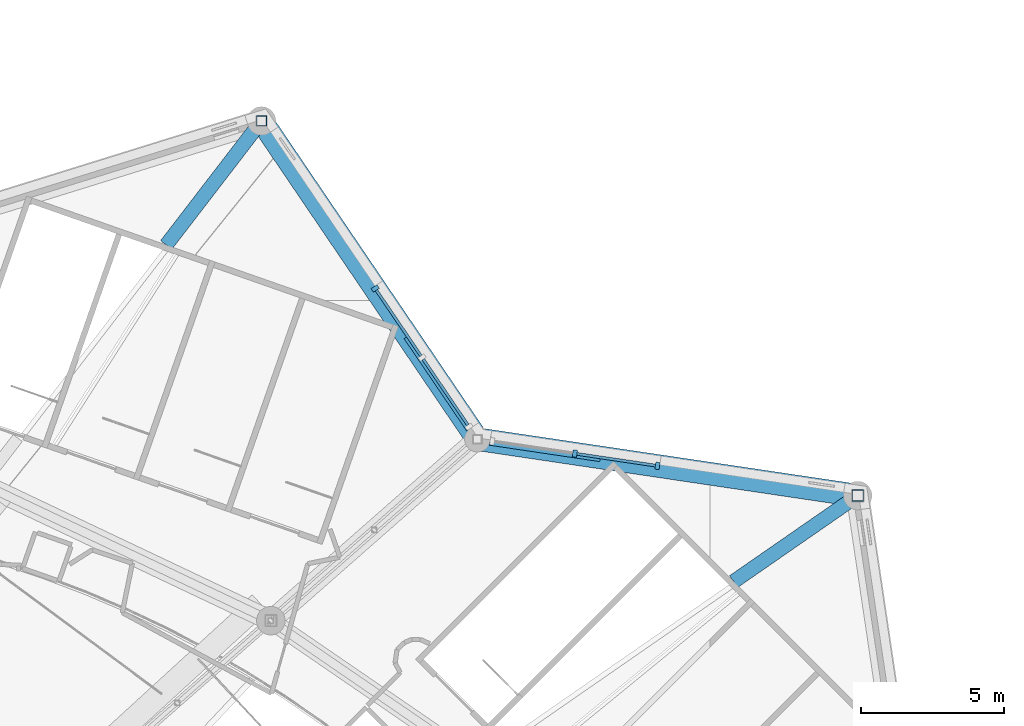
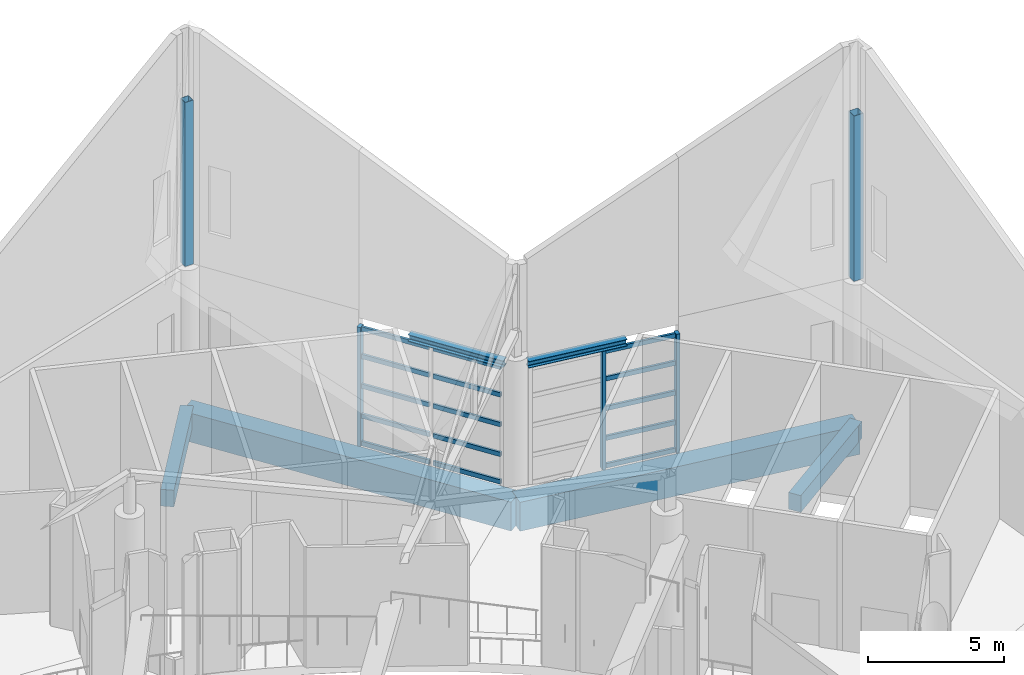
# One storey, part 206 of 344: 20 members, 6 beams, 2 elements without a shape of their own.
"""IFC4 building model written with IfcOpenShell, lengths in metres."""

from ifc_helpers import new_model, si_unit, direction, frame, origin, origin_2d, place, context, subcontext, project, spatial, rectangle, hollow_rectangle, i_section, extrude, material, layer, layer_set, material_profile, profile_set, type_object, element, aggregate, save


model = new_model("IFC4")

# Units and contexts
model_context = context("Model", 3, precision=1e-05, world=origin(), true_north=direction((0.0, 1.0)))
body_context = subcontext(model_context, "Body", "Model", "MODEL_VIEW")
ifc_project = project(units=[si_unit("LENGTHUNIT", "METRE"), si_unit("AREAUNIT", "SQUARE_METRE"), si_unit("VOLUMEUNIT", "CUBIC_METRE"), si_unit("PLANEANGLEUNIT", "RADIAN"), si_unit("MASSUNIT", "GRAM", prefix="KILO")], contexts=[model_context])

# Site, building, storey
site_placement = place(None, origin())
site = spatial("IfcSite", under=ifc_project, at=site_placement, CompositionType="ELEMENT")
building_placement = place(site_placement, origin())
building = spatial("IfcBuilding", under=site, at=building_placement, Name="Meseta Stadium", CompositionType="ELEMENT")
storey_placement = place(building_placement, frame((0.0, 0.0, 24.0)))
storey = spatial("IfcBuildingStorey", under=building, at=storey_placement, Name="L04", CompositionType="ELEMENT", Elevation=24.0)

# Beams
ifc_material_1 = material(Name="Steel S355", Category="steel")
ifc_material_profile_1 = material_profile(ifc_material_1, i_section(OverallWidth=0.300048828125, OverallDepth=0.300048828125, WebThickness=0.010986328125, FlangeThickness=0.01904296875, FilletRadius=0.027099609375, at=origin_2d()), Name="HEB 300")
ifc_profile_set_1 = profile_set([ifc_material_profile_1], Name="Steel S355")
beam_type_1 = type_object("IfcBeamType", Name="Atrium lintel beam HEB 300", PredefinedType="BEAM", material=ifc_profile_set_1)
for number, where, z_axis, x_axis, name in (
    (1, (72.30126953125, 91.084716796875, 5.5), (0.989158379386, -0.146852648908, 0.0), (0.146852648908, 0.989158379386, 0.0), "Atrium lintel beam F12"),
    (2, (71.604248046875, 91.52294921875, 5.5), (-0.561499887567, 0.827476813127, 0.0), (-0.827476813127, -0.561499887567, 0.0), "Atrium lintel beam F13"),
):
    element("IfcBeam", number, at=place(storey_placement, frame(where, z_axis=z_axis, x_axis=x_axis)), inside=storey, type_object=beam_type_1, Name=name, PredefinedType="BEAM", context=body_context, shape_type="SweptSolid", body=[
        extrude(i_section(OverallWidth=0.300048828125, OverallDepth=0.300048828125, WebThickness=0.010986328125, FlangeThickness=0.01904296875, FilletRadius=0.027099609375, at=origin_2d()), origin(), (0.0, 0.0, 1.0), 3.900146484375),
    ])

# Curtain wall, members
ifc_material_2 = material(Name="Steel S355", Category="steel")
ifc_layer = layer(ifc_material_2, 0.300048828125)
ifc_layer_set = layer_set([ifc_layer], Name="Valley atrium curtain wall")
curtain_wall_type = type_object("IfcCurtainWallType", Name="Valley atrium curtain wall", PredefinedType="NOTDEFINED", material=ifc_layer_set)
curtain_wall_1_placement = place(storey_placement, origin())
curtain_wall_1 = element("IfcCurtainWall", 3, at=curtain_wall_1_placement, inside=storey, type_object=curtain_wall_type, Name="Valley atrium glazing F12", PredefinedType="NOTDEFINED")
ifc_material_3 = material(Name="Steel S355", Category="steel")
ifc_material_profile_2 = material_profile(ifc_material_3, rectangle(XDim=0.25, YDim=0.14990234375, at=origin_2d()), Name="CW 250x150")
ifc_profile_set_2 = profile_set([ifc_material_profile_2], Name="Steel S355")
member_type_1 = type_object("IfcMemberType", Name="CW mullion bar 250x150", PredefinedType="MULLION", material=ifc_profile_set_2)
member_1_placement = place(storey_placement, frame((78.162109375, 90.214599609375, 0.0), z_axis=(0.0, 0.0, 1.0), x_axis=(-0.146853770992, -0.989158212798, 0.0)))
member_1 = element("IfcMember", 4, at=member_1_placement, type_object=member_type_1, Name="CWA mullion 1", PredefinedType="MULLION", context=body_context, shape_type="SweptSolid", body=[
    extrude(rectangle(XDim=0.25, YDim=0.14990234375, at=origin_2d()), origin(), (0.0, 0.0, 1.0), 5.35009765625),
])
member_2_placement = place(storey_placement, frame((75.268798828125, 90.644287109375, 0.0), z_axis=(0.0, 0.0, 1.0), x_axis=(-0.146853770992, -0.989158212798, 0.0)))
member_2 = element("IfcMember", 5, at=member_2_placement, type_object=member_type_1, Name="CWA mullion 2", PredefinedType="MULLION", context=body_context, shape_type="SweptSolid", body=[
    extrude(rectangle(XDim=0.25, YDim=0.14990234375, at=origin_2d()), origin(), (0.0, 0.0, 1.0), 5.35009765625),
])

# Curtain wall, member
curtain_wall_2_placement = place(storey_placement, origin())
curtain_wall_2 = element("IfcCurtainWall", 6, at=curtain_wall_2_placement, inside=storey, type_object=curtain_wall_type, Name="Valley atrium glazing F13", PredefinedType="NOTDEFINED")
member_3_placement = place(storey_placement, frame((68.27734375, 96.42578125, 0.0), z_axis=(0.0, 0.0, 1.0), x_axis=(-0.827483291834, -0.561490339842, 0.0)))
member_3 = element("IfcMember", 7, at=member_3_placement, type_object=member_type_1, Name="CWA mullion 3", PredefinedType="MULLION", context=body_context, shape_type="SweptSolid", body=[
    extrude(rectangle(XDim=0.25, YDim=0.14990234375, at=origin_2d()), origin(), (0.0, 0.0, 1.0), 5.35009765625),
])

# Member
ifc_material_4 = material(Name="Steel S355", Category="steel")
ifc_material_profile_3 = material_profile(ifc_material_4, hollow_rectangle(XDim=0.10009765625, YDim=0.199951171875, WallThickness=0.008056640625, at=origin_2d()), Name="RHS 200x100x8")
ifc_profile_set_3 = profile_set([ifc_material_profile_3], Name="Steel S355")
member_type_2 = type_object("IfcMemberType", Name="CW transom RHS 200x100x8", PredefinedType="USERDEFINED", material=ifc_profile_set_3)
member_4_placement = place(storey_placement, frame((78.087890625, 90.2255859375, 0.10009765625), z_axis=(-0.9891476511, 0.146924893475, 0.0), x_axis=(-0.146924893475, -0.9891476511, 0.0)))
member_4 = element("IfcMember", 8, at=member_4_placement, type_object=member_type_2, Name="CWA transom 1.1", ObjectType="TRANSOM", PredefinedType="USERDEFINED", context=body_context, shape_type="SweptSolid", body=[
    extrude(hollow_rectangle(XDim=0.10009765625, YDim=0.199951171875, WallThickness=0.008056640625, at=origin_2d()), origin(), (0.0, 0.0, 1.0), 2.77490234375),
])

member_5_placement = place(storey_placement, frame((78.087890625, 90.2255859375, 1.33740234375), z_axis=(-0.9891476511, 0.146924893475, 0.0), x_axis=(-0.146924893475, -0.9891476511, 0.0)))
member_5 = element("IfcMember", 9, at=member_5_placement, type_object=member_type_2, Name="CWA transom 1.2", ObjectType="TRANSOM", PredefinedType="USERDEFINED", context=body_context, shape_type="SweptSolid", body=[
    extrude(hollow_rectangle(XDim=0.10009765625, YDim=0.199951171875, WallThickness=0.008056640625, at=origin_2d()), origin(), (0.0, 0.0, 1.0), 2.77490234375),
])

member_6_placement = place(storey_placement, frame((78.087890625, 90.2255859375, 2.675048828125), z_axis=(-0.9891476511, 0.146924893475, 0.0), x_axis=(-0.146924893475, -0.9891476511, 0.0)))
member_6 = element("IfcMember", 10, at=member_6_placement, type_object=member_type_2, Name="CWA transom 1.3", ObjectType="TRANSOM", PredefinedType="USERDEFINED", context=body_context, shape_type="SweptSolid", body=[
    extrude(hollow_rectangle(XDim=0.10009765625, YDim=0.199951171875, WallThickness=0.008056640625, at=origin_2d()), origin(), (0.0, 0.0, 1.0), 2.77490234375),
])

member_7_placement = place(storey_placement, frame((78.087890625, 90.2255859375, 4.012451171875), z_axis=(-0.9891476511, 0.146924893475, 0.0), x_axis=(-0.146924893475, -0.9891476511, 0.0)))
member_7 = element("IfcMember", 11, at=member_7_placement, type_object=member_type_2, Name="CWA transom 1.4", ObjectType="TRANSOM", PredefinedType="USERDEFINED", context=body_context, shape_type="SweptSolid", body=[
    extrude(hollow_rectangle(XDim=0.10009765625, YDim=0.199951171875, WallThickness=0.008056640625, at=origin_2d()), origin(), (0.0, 0.0, 1.0), 2.77490234375),
])

member_8_placement = place(storey_placement, frame((78.087890625, 90.2255859375, 5.25), z_axis=(-0.9891476511, 0.146924893475, 0.0), x_axis=(-0.146924893475, -0.9891476511, 0.0)))
member_8 = element("IfcMember", 12, at=member_8_placement, type_object=member_type_2, Name="CWA transom 1.5", ObjectType="TRANSOM", PredefinedType="USERDEFINED", context=body_context, shape_type="SweptSolid", body=[
    extrude(hollow_rectangle(XDim=0.10009765625, YDim=0.199951171875, WallThickness=0.008056640625, at=origin_2d()), origin(), (0.0, 0.0, 1.0), 2.77490234375),
])

aggregate(curtain_wall_1, [member_1, member_2, member_4, member_5, member_6, member_7, member_8])

member_9_placement = place(storey_placement, frame((71.52001953125, 91.647216796875, 0.10009765625), z_axis=(-0.56150356987, 0.827474314419, 0.0), x_axis=(-0.827474314419, -0.56150356987, 0.0)))
member_9 = element("IfcMember", 13, at=member_9_placement, type_object=member_type_2, Name="CWA transom 1.1", ObjectType="TRANSOM", PredefinedType="USERDEFINED", context=body_context, shape_type="SweptSolid", body=[
    extrude(hollow_rectangle(XDim=0.10009765625, YDim=0.199951171875, WallThickness=0.008056640625, at=origin_2d()), origin(), (0.0, 0.0, 1.0), 2.77490234375),
])

member_10_placement = place(storey_placement, frame((71.52001953125, 91.647216796875, 1.33740234375), z_axis=(-0.56150356987, 0.827474314419, 0.0), x_axis=(-0.827474314419, -0.56150356987, 0.0)))
member_10 = element("IfcMember", 14, at=member_10_placement, type_object=member_type_2, Name="CWA transom 1.2", ObjectType="TRANSOM", PredefinedType="USERDEFINED", context=body_context, shape_type="SweptSolid", body=[
    extrude(hollow_rectangle(XDim=0.10009765625, YDim=0.199951171875, WallThickness=0.008056640625, at=origin_2d()), origin(), (0.0, 0.0, 1.0), 2.77490234375),
])

member_11_placement = place(storey_placement, frame((71.52001953125, 91.647216796875, 2.675048828125), z_axis=(-0.56150356987, 0.827474314419, 0.0), x_axis=(-0.827474314419, -0.56150356987, 0.0)))
member_11 = element("IfcMember", 15, at=member_11_placement, type_object=member_type_2, Name="CWA transom 1.3", ObjectType="TRANSOM", PredefinedType="USERDEFINED", context=body_context, shape_type="SweptSolid", body=[
    extrude(hollow_rectangle(XDim=0.10009765625, YDim=0.199951171875, WallThickness=0.008056640625, at=origin_2d()), origin(), (0.0, 0.0, 1.0), 2.77490234375),
])

member_12_placement = place(storey_placement, frame((71.52001953125, 91.647216796875, 4.012451171875), z_axis=(-0.56150356987, 0.827474314419, 0.0), x_axis=(-0.827474314419, -0.56150356987, 0.0)))
member_12 = element("IfcMember", 16, at=member_12_placement, type_object=member_type_2, Name="CWA transom 1.4", ObjectType="TRANSOM", PredefinedType="USERDEFINED", context=body_context, shape_type="SweptSolid", body=[
    extrude(hollow_rectangle(XDim=0.10009765625, YDim=0.199951171875, WallThickness=0.008056640625, at=origin_2d()), origin(), (0.0, 0.0, 1.0), 2.77490234375),
])

member_13_placement = place(storey_placement, frame((71.52001953125, 91.647216796875, 5.25), z_axis=(-0.56150356987, 0.827474314419, 0.0), x_axis=(-0.827474314419, -0.56150356987, 0.0)))
member_13 = element("IfcMember", 17, at=member_13_placement, type_object=member_type_2, Name="CWA transom 1.5", ObjectType="TRANSOM", PredefinedType="USERDEFINED", context=body_context, shape_type="SweptSolid", body=[
    extrude(hollow_rectangle(XDim=0.10009765625, YDim=0.199951171875, WallThickness=0.008056640625, at=origin_2d()), origin(), (0.0, 0.0, 1.0), 2.77490234375),
])

member_14_placement = place(storey_placement, frame((69.877685546875, 94.067626953125, 0.10009765625), z_axis=(-0.561563808152, 0.827433435011, 0.0), x_axis=(-0.827433435011, -0.561563808152, 0.0)))
member_14 = element("IfcMember", 18, at=member_14_placement, type_object=member_type_2, Name="CWA transom 2.1", ObjectType="TRANSOM", PredefinedType="USERDEFINED", context=body_context, shape_type="SweptSolid", body=[
    extrude(hollow_rectangle(XDim=0.10009765625, YDim=0.199951171875, WallThickness=0.008056640625, at=origin_2d()), origin(), (0.0, 0.0, 1.0), 2.77490234375),
])

member_15_placement = place(storey_placement, frame((69.877685546875, 94.067626953125, 1.33740234375), z_axis=(-0.561563808152, 0.827433435011, 0.0), x_axis=(-0.827433435011, -0.561563808152, 0.0)))
member_15 = element("IfcMember", 19, at=member_15_placement, type_object=member_type_2, Name="CWA transom 2.2", ObjectType="TRANSOM", PredefinedType="USERDEFINED", context=body_context, shape_type="SweptSolid", body=[
    extrude(hollow_rectangle(XDim=0.10009765625, YDim=0.199951171875, WallThickness=0.008056640625, at=origin_2d()), origin(), (0.0, 0.0, 1.0), 2.77490234375),
])

member_16_placement = place(storey_placement, frame((69.877685546875, 94.067626953125, 2.675048828125), z_axis=(-0.561563808152, 0.827433435011, 0.0), x_axis=(-0.827433435011, -0.561563808152, 0.0)))
member_16 = element("IfcMember", 20, at=member_16_placement, type_object=member_type_2, Name="CWA transom 2.3", ObjectType="TRANSOM", PredefinedType="USERDEFINED", context=body_context, shape_type="SweptSolid", body=[
    extrude(hollow_rectangle(XDim=0.10009765625, YDim=0.199951171875, WallThickness=0.008056640625, at=origin_2d()), origin(), (0.0, 0.0, 1.0), 2.77490234375),
])

member_17_placement = place(storey_placement, frame((69.877685546875, 94.067626953125, 4.012451171875), z_axis=(-0.561563808152, 0.827433435011, 0.0), x_axis=(-0.827433435011, -0.561563808152, 0.0)))
member_17 = element("IfcMember", 21, at=member_17_placement, type_object=member_type_2, Name="CWA transom 2.4", ObjectType="TRANSOM", PredefinedType="USERDEFINED", context=body_context, shape_type="SweptSolid", body=[
    extrude(hollow_rectangle(XDim=0.10009765625, YDim=0.199951171875, WallThickness=0.008056640625, at=origin_2d()), origin(), (0.0, 0.0, 1.0), 2.77490234375),
])

member_18_placement = place(storey_placement, frame((69.877685546875, 94.067626953125, 5.25), z_axis=(-0.561563808152, 0.827433435011, 0.0), x_axis=(-0.827433435011, -0.561563808152, 0.0)))
member_18 = element("IfcMember", 22, at=member_18_placement, type_object=member_type_2, Name="CWA transom 2.5", ObjectType="TRANSOM", PredefinedType="USERDEFINED", context=body_context, shape_type="SweptSolid", body=[
    extrude(hollow_rectangle(XDim=0.10009765625, YDim=0.199951171875, WallThickness=0.008056640625, at=origin_2d()), origin(), (0.0, 0.0, 1.0), 2.77490234375),
])

aggregate(curtain_wall_2, [member_3, member_9, member_10, member_11, member_12, member_13, member_14, member_15, member_16, member_17, member_18])

# Beams
ifc_material_5 = material(Name="Concrete C40/50", Category="concrete")
ifc_material_profile_4 = material_profile(ifc_material_5, rectangle(XDim=0.5, YDim=0.75, at=origin_2d()), Name="RC 500x750")
ifc_profile_set_4 = profile_set([ifc_material_profile_4], Name="Concrete C40/50")
beam_type_2 = type_object("IfcBeamType", Name="RC beam 500x750", PredefinedType="BEAM", material=ifc_profile_set_4)
beam_1_placement = place(storey_placement, frame((80.830078125, 86.16357421875, -0.77490234375), z_axis=(0.821929323184, 0.569589490503, 0.0), x_axis=(-0.569589490503, 0.821929323184, 0.0)))
element("IfcBeam", 23, at=beam_1_placement, inside=storey, type_object=beam_type_2, Name="L04 radial beam frame 12 line P to R", PredefinedType="BEAM", context=body_context, shape_type="SweptSolid", body=[
    extrude(rectangle(XDim=0.5, YDim=0.75, at=origin_2d()), origin(), (0.0, 0.0, 1.0), 5.284423828125),
])
beam_2_placement = place(storey_placement, frame((60.95947265625, 97.949951171875, -0.77490234375), z_axis=(0.609579324643, 0.792725076536, 0.0), x_axis=(-0.792725076536, 0.609579324643, 0.0)))
element("IfcBeam", 24, at=beam_2_placement, inside=storey, type_object=beam_type_2, Name="L04 radial beam frame 14 line P to R", PredefinedType="BEAM", context=body_context, shape_type="SweptSolid", body=[
    extrude(rectangle(XDim=0.5, YDim=0.75, at=origin_2d()), origin(), (0.0, 0.0, 1.0), 5.47607421875),
])
ifc_material_6 = material(Name="Concrete C40/50", Category="concrete")
ifc_material_profile_5 = material_profile(ifc_material_6, rectangle(XDim=0.800048828125, YDim=1.300048828125, at=origin_2d()), Name="RC 800x1300")
ifc_profile_set_5 = profile_set([ifc_material_profile_5], Name="Concrete C40/50")
beam_type_3 = type_object("IfcBeamType", Name="RC beam 800x1300", PredefinedType="BEAM", material=ifc_profile_set_5)
beam_3_placement = place(storey_placement, frame((85.173583984375, 89.173583984375, -1.050048828125), z_axis=(-0.989155798373, 0.146870032835, 0.0), x_axis=(-0.146870032835, -0.989155798373, 0.0)))
element("IfcBeam", 25, at=beam_3_placement, inside=storey, type_object=beam_type_3, Name="L04 ring beam frame 12 line R", PredefinedType="BEAM", context=body_context, shape_type="SweptSolid", body=[
    extrude(rectangle(XDim=0.800048828125, YDim=1.300048828125, at=origin_2d()), origin(), (0.0, 0.0, 1.0), 13.462890625),
])
beam_4_placement = place(storey_placement, frame((71.856689453125, 91.15087890625, -1.050048828125), z_axis=(-0.561486340317, 0.827486005705, 0.0), x_axis=(-0.827486005705, -0.561486340317, 0.0)))
element("IfcBeam", 26, at=beam_4_placement, inside=storey, type_object=beam_type_3, Name="L04 ring beam frame 13 line R", PredefinedType="BEAM", context=body_context, shape_type="SweptSolid", body=[
    extrude(rectangle(XDim=0.800048828125, YDim=1.300048828125, at=origin_2d()), origin(), (0.0, 0.0, 1.0), 13.462646484375),
])

# Members
ifc_material_7 = material(Name="Steel S355", Category="steel")
ifc_material_profile_6 = material_profile(ifc_material_7, hollow_rectangle(XDim=0.35009765625, YDim=0.35009765625, WallThickness=0.01416015625, at=origin_2d()), Name="SHS 350x350x14.2")
ifc_profile_set_6 = profile_set([ifc_material_profile_6], Name="Steel S355")
member_type_3 = type_object("IfcMemberType", Name="SHS 350x350x14.2 rim post", PredefinedType="POST", material=ifc_profile_set_6)
member_19_placement = place(storey_placement, frame((64.29736328125, 102.291015625, 6.0), z_axis=(0.0, 0.0, 1.0), x_axis=(1.0, 0.0, 0.0)))
element("IfcMember", 27, at=member_19_placement, inside=storey, type_object=member_type_3, Name="ROOF RIM POST RT-14", PredefinedType="POST", context=body_context, shape_type="SweptSolid", body=[
    extrude(hollow_rectangle(XDim=0.35009765625, YDim=0.35009765625, WallThickness=0.01416015625, at=origin_2d()), origin(), (0.0, 0.0, 1.0), 7.369873046875),
])
ifc_material_8 = material(Name="Steel S355", Category="steel")
ifc_material_profile_7 = material_profile(ifc_material_8, hollow_rectangle(XDim=0.39990234375, YDim=0.39990234375, WallThickness=0.01416015625, at=origin_2d()), Name="SHS 400x400x14.2")
ifc_profile_set_7 = profile_set([ifc_material_profile_7], Name="Steel S355")
member_type_4 = type_object("IfcMemberType", Name="SHS 400x400x14.2 rim post", PredefinedType="POST", material=ifc_profile_set_7)
member_20_placement = place(storey_placement, frame((85.173828125, 89.173828125, 6.0), z_axis=(0.0, 0.0, 1.0), x_axis=(1.0, 0.0, 0.0)))
element("IfcMember", 28, at=member_20_placement, inside=storey, type_object=member_type_4, Name="ROOF RIM POST RT-12", PredefinedType="POST", context=body_context, shape_type="SweptSolid", body=[
    extrude(hollow_rectangle(XDim=0.39990234375, YDim=0.39990234375, WallThickness=0.01416015625, at=origin_2d()), origin(), (0.0, 0.0, 1.0), 7.431396484375),
])

save(model, "model.ifc")
